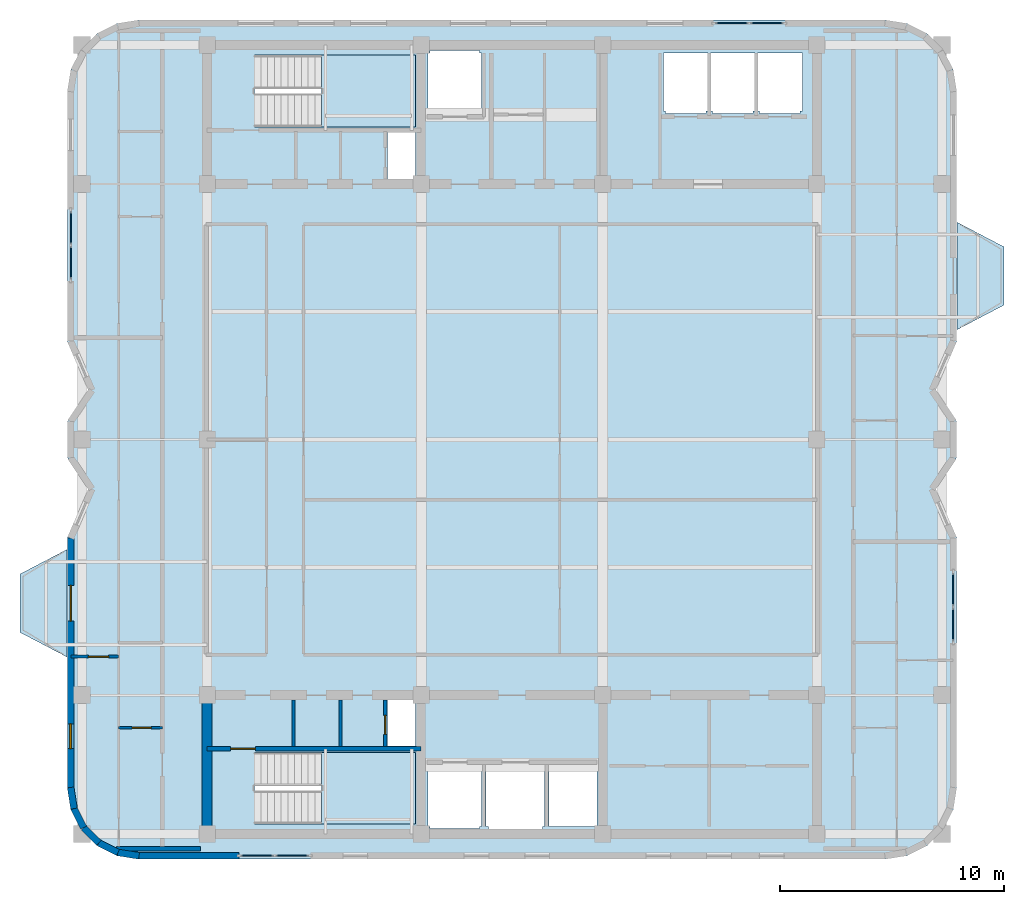
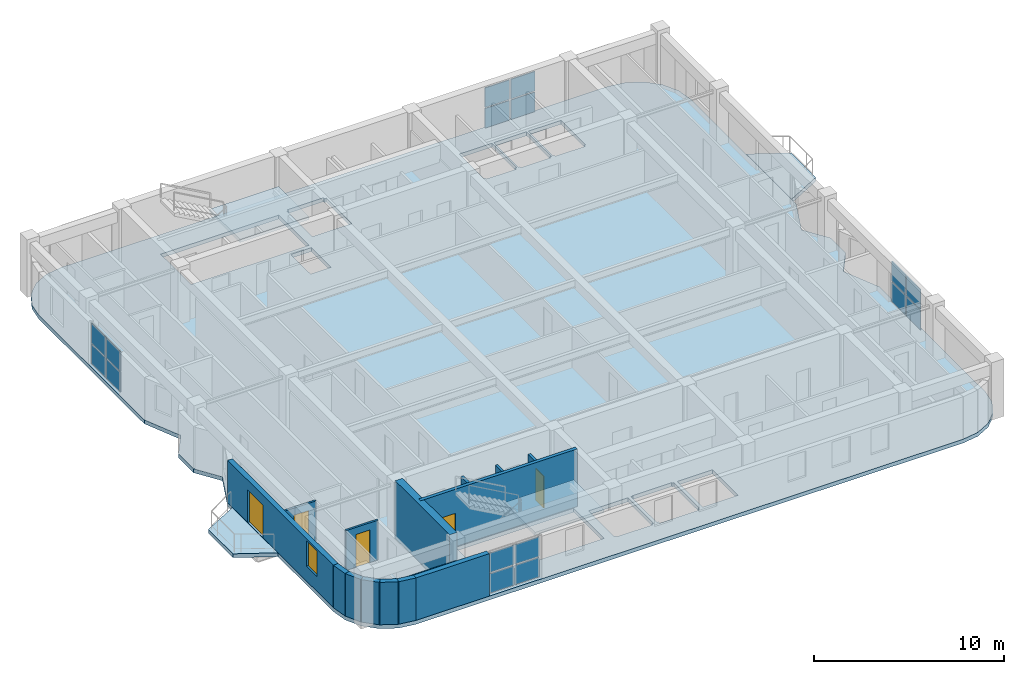
# One storey, part 4 of 11: 16 plates, 15 walls, 5 doors, 5 slabs, 1 window, 6 openings, 6 elements without a shape of their own.
"""IFC4 building model written with IfcOpenShell, lengths in metres."""

import ifcopenshell
import ifcopenshell.guid

model = None  # the IFC model being written
_history = None  # IfcOwnerHistory: only IFC2X3 demands one
_inside = {}  # id of a spatial element -> (the spatial element, [elements in it])
_under = {}  # id of a project, library or spatial element -> (it, [spatial elements below it])
_declared = {}  # id of a project -> (the project, [libraries it declares])
_typed = {}  # id of a type object -> (the type object, [elements of that type])
_made_of = {}  # id of a material, layer set ... -> (it, [elements and type objects made of it])


def new_model(schema):
    """Start an empty IFC model of exactly this schema.

    Asked for "IFC4X3", IfcOpenShell would pick the latest addendum, in which some entities
    have other attributes; the version numbers below select the first issue.
    IFC2X3 requires an IfcOwnerHistory on every rooted entity: one is made here for all.
    """
    global model, _history
    if schema == "IFC4X3":
        model = ifcopenshell.file(schema_version=(4, 3, 0, 0))
    else:
        model = ifcopenshell.file(schema=schema)
    _inside.clear()
    _under.clear()
    _declared.clear()
    _typed.clear()
    _made_of.clear()
    _history = None
    if model.schema == "IFC2X3":
        org = make("IfcOrganization", Name="unknown")
        user = make(
            "IfcPersonAndOrganization",
            ThePerson=make("IfcPerson", FamilyName="unknown"),
            TheOrganization=org,
        )
        app = make(
            "IfcApplication",
            ApplicationDeveloper=org,
            Version="unknown",
            ApplicationFullName="unknown",
            ApplicationIdentifier="unknown",
        )
        _history = make(
            "IfcOwnerHistory",
            OwningUser=user,
            OwningApplication=app,
            ChangeAction="ADDED",
            CreationDate=0,
        )
    return model


def make(cls, **values):
    """One entity of the class cls with the attributes given. An attribute that is None is left unset."""
    return model.create_entity(
        cls, **{name: value for name, value in values.items() if value is not None}
    )


def rooted(cls, **values):
    """An entity with a GlobalId (a new one), such as an element, a storey or a relation."""
    return make(cls, GlobalId=ifcopenshell.guid.new(), OwnerHistory=_history, **values)


def si_unit(unit_type, name, prefix=None):
    """IfcSIUnit, for example si_unit("LENGTHUNIT", "METRE", prefix="MILLI")."""
    return make("IfcSIUnit", UnitType=unit_type, Prefix=prefix, Name=name)


def assignment(units):
    """IfcUnitAssignment: the units of a project."""
    return None if units is None else make("IfcUnitAssignment", Units=units)


def point(xyz):
    """IfcCartesianPoint."""
    return None if xyz is None else make("IfcCartesianPoint", Coordinates=xyz)


def direction(xyz):
    """IfcDirection."""
    return None if xyz is None else make("IfcDirection", DirectionRatios=xyz)


def frame(location, z_axis=None, x_axis=None):
    """IfcAxis2Placement3D, a coordinate frame: its origin and axes. An axis left out is left unset."""
    return make(
        "IfcAxis2Placement3D",
        Location=point(location),
        Axis=direction(z_axis),
        RefDirection=direction(x_axis),
    )


def frame_2d(location, x_axis=None):
    """IfcAxis2Placement2D, a coordinate frame in the plane: its origin and x axis."""
    return make(
        "IfcAxis2Placement2D", Location=point(location), RefDirection=direction(x_axis)
    )


def origin():
    """The frame at (0, 0, 0) with its axes left unset."""
    return frame((0.0, 0.0, 0.0))


def origin_2d():
    """The frame at (0, 0) in the plane with its x axis left unset."""
    return frame_2d((0.0, 0.0))


def place(relative_to, where):
    """IfcLocalPlacement: puts the frame where relative to a parent placement (None: the world)."""
    return make(
        "IfcLocalPlacement", PlacementRelTo=relative_to, RelativePlacement=where
    )


def context(
    kind, dimensions, precision=None, world=None, true_north=None, identifier=None
):
    """IfcGeometricRepresentationContext, for example the 3D "Model" context."""
    return make(
        "IfcGeometricRepresentationContext",
        ContextIdentifier=identifier,
        ContextType=kind,
        CoordinateSpaceDimension=dimensions,
        Precision=precision,
        WorldCoordinateSystem=world,
        TrueNorth=true_north,
    )


def subcontext(parent, identifier, kind, view, scale=None):
    """IfcGeometricRepresentationSubContext, for example "Body" below "Model"."""
    return make(
        "IfcGeometricRepresentationSubContext",
        ContextIdentifier=identifier,
        ContextType=kind,
        ParentContext=parent,
        TargetScale=scale,
        TargetView=view,
    )


def project(units=None, contexts=None):
    """IfcProject with its units and contexts."""
    return rooted(
        "IfcProject",
        Name="project",
        RepresentationContexts=contexts,
        UnitsInContext=assignment(units),
    )


def spatial(cls, under=None, at=None, **own):
    """A site, building, storey or space (cls), placed at a placement, below another one or the project."""
    s = rooted(cls, ObjectPlacement=at, **own)
    if under is not None:
        _under.setdefault(under.id(), (under, []))[1].append(s)
    return s


def polyline(points):
    """IfcPolyline through the points."""
    return make("IfcPolyline", Points=[point(p) for p in points])


def profile(cls, at=None, kind="AREA", **sizes):
    """A parametric profile (cls). Its sizes go by their IFC names, for example OverallWidth=200.0."""
    return make(cls, ProfileType=kind, Position=at, **sizes)


def rectangle(**sizes):
    """IfcRectangleProfileDef."""
    return profile("IfcRectangleProfileDef", **sizes)


def outline(outer, holes=None, kind="AREA"):
    """IfcArbitraryClosedProfileDef: a profile drawn as a closed curve; with holes, ...WithVoids."""
    if holes is None:
        return make("IfcArbitraryClosedProfileDef", ProfileType=kind, OuterCurve=outer)
    return make(
        "IfcArbitraryProfileDefWithVoids",
        ProfileType=kind,
        OuterCurve=outer,
        InnerCurves=holes,
    )


def extrude(swept, where, along, depth):
    """IfcExtrudedAreaSolid: the profile swept, set in the frame where, extruded along a direction by depth."""
    return make(
        "IfcExtrudedAreaSolid",
        SweptArea=swept,
        Position=where,
        ExtrudedDirection=direction(along),
        Depth=depth,
    )


def shape(context_of_items, identifier, shape_type, items):
    """IfcShapeRepresentation: the items that make up one representation, for example the "Body"."""
    return make(
        "IfcShapeRepresentation",
        ContextOfItems=context_of_items,
        RepresentationIdentifier=identifier,
        RepresentationType=shape_type,
        Items=items,
    )


def material(Name=None, Category=None):
    """IfcMaterial."""
    return make("IfcMaterial", Name=Name, Category=Category)


def layer(
    of_material, thickness, ventilated=None, Name=None, Category=None, Priority=None
):
    """IfcMaterialLayer: one layer of a wall or slab, of a material (None: an air gap)."""
    return make(
        "IfcMaterialLayer",
        Material=of_material,
        LayerThickness=thickness,
        IsVentilated=ventilated,
        Name=Name,
        Category=Category,
        Priority=Priority,
    )


def layer_set(layers, Name=None):
    """IfcMaterialLayerSet."""
    return make("IfcMaterialLayerSet", MaterialLayers=layers, LayerSetName=Name)


def made_of(thing, what):
    """Note that an element or type object is made of a material, layer set ...; save() writes the relation."""
    if what is not None:
        _made_of.setdefault(what.id(), (what, []))[1].append(thing)
    return thing


def type_object(cls, material=None, **own):
    """A type object (cls), such as IfcWallType, which elements share."""
    return made_of(rooted(cls, **own), material)


def element(
    cls,
    number,
    at=None,
    inside=None,
    cuts=None,
    type_object=None,
    material=None,
    context=None,
    identifier="Body",
    shape_type=None,
    held_by="IfcProductDefinitionShape",
    body=None,
    shapes=None,
    **own,
):
    """One element of the class cls, such as IfcWall. Its Tag is "e" and its number.

    at: its placement. inside: the storey or other place that contains it. cuts: it is an
    opening in that element (IfcRelVoidsElement). A single representation is given by context,
    identifier, shape_type and body (its items); several are given by shapes. held_by: the class
    of the entity that holds the representations. save() writes the other relations.
    """
    e = rooted(cls, Tag="e%d" % number, ObjectPlacement=at, **own)
    if body is not None:
        shapes = [shape(context, identifier, shape_type, body)]
    if shapes is not None:
        e.Representation = make(held_by, Representations=shapes)
    if inside is not None:
        _inside.setdefault(inside.id(), (inside, []))[1].append(e)
    if cuts is not None:
        rooted(
            "IfcRelVoidsElement", RelatingBuildingElement=cuts, RelatedOpeningElement=e
        )
    if type_object is not None:
        _typed.setdefault(type_object.id(), (type_object, []))[1].append(e)
    return made_of(e, material)


def fill(opening, filler):
    """IfcRelFillsElement: the door or window that sits in an opening."""
    return rooted(
        "IfcRelFillsElement",
        RelatingOpeningElement=opening,
        RelatedBuildingElement=filler,
    )


def aggregate(whole, parts):
    """IfcRelAggregates: a whole, such as a stair, and the parts it consists of."""
    return rooted("IfcRelAggregates", RelatingObject=whole, RelatedObjects=parts)


def save(model, path):
    """Write the relations noted so far, then the file.

    IfcRelAggregates (storeys below a building ...), IfcRelContainedInSpatialStructure (elements
    in a storey), IfcRelDefinesByType, IfcRelAssociatesMaterial and IfcRelDeclares: one each for
    every whole, place, type object, material and project.
    """
    for whole, parts in _under.values():
        aggregate(whole, parts)
    for where, things in _inside.values():
        rooted(
            "IfcRelContainedInSpatialStructure",
            RelatedElements=things,
            RelatingStructure=where,
        )
    for kind, things in _typed.values():
        rooted("IfcRelDefinesByType", RelatedObjects=things, RelatingType=kind)
    for what, things in _made_of.values():
        rooted("IfcRelAssociatesMaterial", RelatedObjects=things, RelatingMaterial=what)
    for by, libraries in _declared.values():
        rooted("IfcRelDeclares", RelatingContext=by, RelatedDefinitions=libraries)
    model.write(path)


model = new_model("IFC4")

# Units and contexts
model_context = context("Model", 3, precision=1e-05, world=origin(), true_north=direction((0.0, 1.0)))
body_context = subcontext(model_context, "Body", "Model", "MODEL_VIEW")
ifc_project = project(units=[si_unit("LENGTHUNIT", "METRE"), si_unit("AREAUNIT", "SQUARE_METRE"), si_unit("VOLUMEUNIT", "CUBIC_METRE"), si_unit("PLANEANGLEUNIT", "RADIAN"), si_unit("MASSUNIT", "GRAM", prefix="KILO")], contexts=[model_context])

# Site, building, storey
site_placement = place(None, origin())
site = spatial("IfcSite", under=ifc_project, at=site_placement, CompositionType="ELEMENT")
building_placement = place(site_placement, origin())
building = spatial("IfcBuilding", under=site, at=building_placement, Name="Svetorya Sky Lyceum", CompositionType="ELEMENT")
storey_placement = place(building_placement, frame((0.0, 0.0, 289.800048828125)))
storey = spatial("IfcBuildingStorey", under=building, at=storey_placement, Name="L73", CompositionType="ELEMENT", Elevation=289.800048828125)

# Curtain wall, plates
ifc_material_1 = material(Name="Thermally broken anodized aluminium and triple low-E glass", Category="aluminium")
curtain_wall_type = type_object("IfcCurtainWallType", Name="CW6-CRN-OBS", PredefinedType="NOTDEFINED", material=ifc_material_1)
curtain_wall_1_placement = place(storey_placement, origin())
curtain_wall_1 = element("IfcCurtainWall", 1, at=curtain_wall_1_placement, inside=storey, type_object=curtain_wall_type, Name="L73 Observatory Curtain Wall 6", PredefinedType="NOTDEFINED")
ifc_material_2 = material(Name="Acoustic laminated observatory triple glass", Category="glass")
ifc_layer_1 = layer(ifc_material_2, 0.055908203125)
ifc_layer_set_1 = layer_set([ifc_layer_1], Name="Acoustic laminated observatory triple glass")
plate_type = type_object("IfcPlateType", Name="CWP-GLZ-56", PredefinedType="CURTAIN_PANEL", material=ifc_layer_set_1)
plate_1_placement = place(storey_placement, frame((27.831298828125, 9.6298828125, 0.0732421875), z_axis=(0.0, 0.0, 1.0), x_axis=(1.0, 0.0, 0.0)))
plate_1 = element("IfcPlate", 2, at=plate_1_placement, type_object=plate_type, Name="CW-6 panel 1.1", PredefinedType="CURTAIN_PANEL", context=body_context, shape_type="SweptSolid", body=[
    extrude(rectangle(XDim=1.4755859375, YDim=0.055908203125, at=origin_2d()), origin(), (0.0, 0.0, 1.0), 1.255615234375),
])
plate_2_placement = place(storey_placement, frame((27.831298828125, 9.6298828125, 1.40087890625), z_axis=(0.0, 0.0, 1.0), x_axis=(1.0, 0.0, 0.0)))
plate_2 = element("IfcPlate", 3, at=plate_2_placement, type_object=plate_type, Name="CW-6 panel 1.2", PredefinedType="CURTAIN_PANEL", context=body_context, shape_type="SweptSolid", body=[
    extrude(rectangle(XDim=1.4755859375, YDim=0.055908203125, at=origin_2d()), origin(), (0.0, 0.0, 1.0), 1.255615234375),
])
plate_3_placement = place(storey_placement, frame((29.388671875, 9.6298828125, 0.0732421875), z_axis=(0.0, 0.0, 1.0), x_axis=(1.0, 0.0, 0.0)))
plate_3 = element("IfcPlate", 4, at=plate_3_placement, type_object=plate_type, Name="CW-6 panel 2.1", PredefinedType="CURTAIN_PANEL", context=body_context, shape_type="SweptSolid", body=[
    extrude(rectangle(XDim=1.4755859375, YDim=0.055908203125, at=origin_2d()), origin(), (0.0, 0.0, 1.0), 1.255615234375),
])
plate_4_placement = place(storey_placement, frame((29.388671875, 9.6298828125, 1.40087890625), z_axis=(0.0, 0.0, 1.0), x_axis=(1.0, 0.0, 0.0)))
plate_4 = element("IfcPlate", 5, at=plate_4_placement, type_object=plate_type, Name="CW-6 panel 2.2", PredefinedType="CURTAIN_PANEL", context=body_context, shape_type="SweptSolid", body=[
    extrude(rectangle(XDim=1.4755859375, YDim=0.055908203125, at=origin_2d()), origin(), (0.0, 0.0, 1.0), 1.255615234375),
])
aggregate(curtain_wall_1, [plate_1, plate_2, plate_3, plate_4])

curtain_wall_2_placement = place(storey_placement, origin())
curtain_wall_2 = element("IfcCurtainWall", 6, at=curtain_wall_2_placement, inside=storey, type_object=curtain_wall_type, Name="L73 Observatory Curtain Wall 12", PredefinedType="NOTDEFINED")
plate_5_placement = place(storey_placement, frame((58.889892578125, 19.951171875, 0.0732421875), z_axis=(0.0, 0.0, 1.0), x_axis=(0.0, 1.0, 0.0)))
plate_5 = element("IfcPlate", 7, at=plate_5_placement, type_object=plate_type, Name="CW-6 panel 1.1", PredefinedType="CURTAIN_PANEL", context=body_context, shape_type="SweptSolid", body=[
    extrude(rectangle(XDim=1.4755859375, YDim=0.055908203125, at=origin_2d()), origin(), (0.0, 0.0, 1.0), 1.255615234375),
])
plate_6_placement = place(storey_placement, frame((58.889892578125, 19.951171875, 1.40087890625), z_axis=(0.0, 0.0, 1.0), x_axis=(0.0, 1.0, 0.0)))
plate_6 = element("IfcPlate", 8, at=plate_6_placement, type_object=plate_type, Name="CW-6 panel 1.2", PredefinedType="CURTAIN_PANEL", context=body_context, shape_type="SweptSolid", body=[
    extrude(rectangle(XDim=1.4755859375, YDim=0.055908203125, at=origin_2d()), origin(), (0.0, 0.0, 1.0), 1.255615234375),
])
plate_7_placement = place(storey_placement, frame((58.889892578125, 21.5087890625, 0.0732421875), z_axis=(0.0, 0.0, 1.0), x_axis=(0.0, 1.0, 0.0)))
plate_7 = element("IfcPlate", 9, at=plate_7_placement, type_object=plate_type, Name="CW-6 panel 2.1", PredefinedType="CURTAIN_PANEL", context=body_context, shape_type="SweptSolid", body=[
    extrude(rectangle(XDim=1.4755859375, YDim=0.055908203125, at=origin_2d()), origin(), (0.0, 0.0, 1.0), 1.255615234375),
])
plate_8_placement = place(storey_placement, frame((58.889892578125, 21.5087890625, 1.40087890625), z_axis=(0.0, 0.0, 1.0), x_axis=(0.0, 1.0, 0.0)))
plate_8 = element("IfcPlate", 10, at=plate_8_placement, type_object=plate_type, Name="CW-6 panel 2.2", PredefinedType="CURTAIN_PANEL", context=body_context, shape_type="SweptSolid", body=[
    extrude(rectangle(XDim=1.4755859375, YDim=0.055908203125, at=origin_2d()), origin(), (0.0, 0.0, 1.0), 1.255615234375),
])
aggregate(curtain_wall_2, [plate_5, plate_6, plate_7, plate_8])

curtain_wall_3_placement = place(storey_placement, origin())
curtain_wall_3 = element("IfcCurtainWall", 11, at=curtain_wall_3_placement, inside=storey, type_object=curtain_wall_type, Name="L73 Observatory Curtain Wall 24", PredefinedType="NOTDEFINED")
plate_9_placement = place(storey_placement, frame((50.56884765625, 46.77001953125, 0.0732421875), z_axis=(0.0, 0.0, 1.0), x_axis=(-1.0, 0.0, 0.0)))
plate_9 = element("IfcPlate", 12, at=plate_9_placement, type_object=plate_type, Name="CW-6 panel 1.1", PredefinedType="CURTAIN_PANEL", context=body_context, shape_type="SweptSolid", body=[
    extrude(rectangle(XDim=1.4755859375, YDim=0.055908203125, at=origin_2d()), origin(), (0.0, 0.0, 1.0), 1.255615234375),
])
plate_10_placement = place(storey_placement, frame((50.56884765625, 46.77001953125, 1.40087890625), z_axis=(0.0, 0.0, 1.0), x_axis=(-1.0, 0.0, 0.0)))
plate_10 = element("IfcPlate", 13, at=plate_10_placement, type_object=plate_type, Name="CW-6 panel 1.2", PredefinedType="CURTAIN_PANEL", context=body_context, shape_type="SweptSolid", body=[
    extrude(rectangle(XDim=1.4755859375, YDim=0.055908203125, at=origin_2d()), origin(), (0.0, 0.0, 1.0), 1.255615234375),
])
plate_11_placement = place(storey_placement, frame((49.01123046875, 46.77001953125, 0.0732421875), z_axis=(0.0, 0.0, 1.0), x_axis=(-1.0, 0.0, 0.0)))
plate_11 = element("IfcPlate", 14, at=plate_11_placement, type_object=plate_type, Name="CW-6 panel 2.1", PredefinedType="CURTAIN_PANEL", context=body_context, shape_type="SweptSolid", body=[
    extrude(rectangle(XDim=1.4755859375, YDim=0.055908203125, at=origin_2d()), origin(), (0.0, 0.0, 1.0), 1.255615234375),
])
plate_12_placement = place(storey_placement, frame((49.01123046875, 46.77001953125, 1.40087890625), z_axis=(0.0, 0.0, 1.0), x_axis=(-1.0, 0.0, 0.0)))
plate_12 = element("IfcPlate", 15, at=plate_12_placement, type_object=plate_type, Name="CW-6 panel 2.2", PredefinedType="CURTAIN_PANEL", context=body_context, shape_type="SweptSolid", body=[
    extrude(rectangle(XDim=1.4755859375, YDim=0.055908203125, at=origin_2d()), origin(), (0.0, 0.0, 1.0), 1.255615234375),
])
aggregate(curtain_wall_3, [plate_9, plate_10, plate_11, plate_12])

curtain_wall_4_placement = place(storey_placement, origin())
curtain_wall_4 = element("IfcCurtainWall", 16, at=curtain_wall_4_placement, inside=storey, type_object=curtain_wall_type, Name="L73 Observatory Curtain Wall 30", PredefinedType="NOTDEFINED")
plate_13_placement = place(storey_placement, frame((19.510009765625, 37.648681640625, 0.0732421875), z_axis=(0.0, 0.0, 1.0), x_axis=(0.0, -1.0, 0.0)))
plate_13 = element("IfcPlate", 17, at=plate_13_placement, type_object=plate_type, Name="CW-6 panel 1.1", PredefinedType="CURTAIN_PANEL", context=body_context, shape_type="SweptSolid", body=[
    extrude(rectangle(XDim=1.4755859375, YDim=0.055908203125, at=origin_2d()), origin(), (0.0, 0.0, 1.0), 1.255615234375),
])
plate_14_placement = place(storey_placement, frame((19.510009765625, 37.648681640625, 1.40087890625), z_axis=(0.0, 0.0, 1.0), x_axis=(0.0, -1.0, 0.0)))
plate_14 = element("IfcPlate", 18, at=plate_14_placement, type_object=plate_type, Name="CW-6 panel 1.2", PredefinedType="CURTAIN_PANEL", context=body_context, shape_type="SweptSolid", body=[
    extrude(rectangle(XDim=1.4755859375, YDim=0.055908203125, at=origin_2d()), origin(), (0.0, 0.0, 1.0), 1.255615234375),
])
plate_15_placement = place(storey_placement, frame((19.510009765625, 36.09130859375, 0.0732421875), z_axis=(0.0, 0.0, 1.0), x_axis=(0.0, -1.0, 0.0)))
plate_15 = element("IfcPlate", 19, at=plate_15_placement, type_object=plate_type, Name="CW-6 panel 2.1", PredefinedType="CURTAIN_PANEL", context=body_context, shape_type="SweptSolid", body=[
    extrude(rectangle(XDim=1.4755859375, YDim=0.055908203125, at=origin_2d()), origin(), (0.0, 0.0, 1.0), 1.255615234375),
])
plate_16_placement = place(storey_placement, frame((19.510009765625, 36.09130859375, 1.40087890625), z_axis=(0.0, 0.0, 1.0), x_axis=(0.0, -1.0, 0.0)))
plate_16 = element("IfcPlate", 20, at=plate_16_placement, type_object=plate_type, Name="CW-6 panel 2.2", PredefinedType="CURTAIN_PANEL", context=body_context, shape_type="SweptSolid", body=[
    extrude(rectangle(XDim=1.4755859375, YDim=0.055908203125, at=origin_2d()), origin(), (0.0, 0.0, 1.0), 1.255615234375),
])
aggregate(curtain_wall_4, [plate_13, plate_14, plate_15, plate_16])

# Slabs
ifc_material_3 = material(Name="Concrete C40/50", Category="concrete")
ifc_layer_2 = layer(ifc_material_3, 0.25)
ifc_layer_set_2 = layer_set([ifc_layer_2], Name="Concrete C40/50")
slab_type_1 = type_object("IfcSlabType", Name="SL-BAL-250", PredefinedType="FLOOR", material=ifc_layer_set_2)
slab_1_placement = place(storey_placement, frame((0.0, 0.0, -0.25)))
element("IfcSlab", 21, at=slab_1_placement, inside=storey, type_object=slab_type_1, Name="L73 Chamfered Loggia Balcony BAL-W1", PredefinedType="FLOOR", context=body_context, shape_type="SweptSolid", body=[
    extrude(outline(polyline([(19.35009765625, 18.5), (19.35009765625, 23.300048828125), (17.25, 22.199951171875), (17.25, 19.60009765625), (19.35009765625, 18.5)])), origin(), (0.0, 0.0, 1.0), 0.25),
])
slab_2_placement = place(storey_placement, frame((0.0, 0.0, -0.25)))
element("IfcSlab", 22, at=slab_2_placement, inside=storey, type_object=slab_type_1, Name="L73 Chamfered Loggia Balcony BAL-E1", PredefinedType="FLOOR", context=body_context, shape_type="SweptSolid", body=[
    extrude(outline(polyline([(59.050048828125, 33.10009765625), (61.14990234375, 34.199951171875), (61.14990234375, 36.800048828125), (59.050048828125, 37.89990234375), (59.050048828125, 33.10009765625)])), origin(), (0.0, 0.0, 1.0), 0.25),
])

# Stair, slab
stair_type_1 = type_object("IfcStairType", Name="STR-ST-S", PredefinedType="HALF_TURN_STAIR", material=ifc_material_3)
stair_1_placement = place(storey_placement, origin())
stair_1 = element("IfcStair", 23, at=stair_1_placement, inside=storey, type_object=stair_type_1, Name="L73 South Core Smoke-Free Exit Stair N2", PredefinedType="HALF_TURN_STAIR")
ifc_layer_3 = layer(ifc_material_3, 0.199951171875)
ifc_layer_set_3 = layer_set([ifc_layer_3], Name="Concrete C40/50")
slab_type_2 = type_object("IfcSlabType", Name="SL-STR-LAND-200", PredefinedType="LANDING", material=ifc_layer_set_3)
slab_3_placement = place(storey_placement, frame((0.0, 0.0, 1.64990234375)))
slab_3 = element("IfcSlab", 24, at=slab_3_placement, type_object=slab_type_2, Name="ST-S landing 1", PredefinedType="LANDING", context=body_context, shape_type="SweptSolid", body=[
    extrude(outline(polyline([(30.699951171875, 11.050048828125), (34.89990234375, 11.050048828125), (34.89990234375, 14.25), (30.699951171875, 14.25), (30.699951171875, 11.050048828125)])), origin(), (0.0, 0.0, 1.0), 0.199951171875),
])
aggregate(stair_1, [slab_3])

stair_type_2 = type_object("IfcStairType", Name="STR-ST-N", PredefinedType="HALF_TURN_STAIR", material=ifc_material_3)
stair_2_placement = place(storey_placement, origin())
stair_2 = element("IfcStair", 25, at=stair_2_placement, inside=storey, type_object=stair_type_2, Name="L73 North Core Smoke-Free Exit Stair N3", PredefinedType="HALF_TURN_STAIR")
slab_4_placement = place(storey_placement, frame((0.0, 0.0, 1.64990234375)))
slab_4 = element("IfcSlab", 26, at=slab_4_placement, type_object=slab_type_2, Name="ST-N landing 1", PredefinedType="LANDING", context=body_context, shape_type="SweptSolid", body=[
    extrude(outline(polyline([(30.699951171875, 42.14990234375), (34.89990234375, 42.14990234375), (34.89990234375, 45.35009765625), (30.699951171875, 45.35009765625), (30.699951171875, 42.14990234375)])), origin(), (0.0, 0.0, 1.0), 0.199951171875),
])
aggregate(stair_2, [slab_4])

# Slab
ifc_layer_4 = layer(ifc_material_3, 0.25)
ifc_layer_set_4 = layer_set([ifc_layer_4], Name="Concrete C40/50")
slab_type_3 = type_object("IfcSlabType", Name="SL-TWR-250", PredefinedType="FLOOR", material=ifc_layer_set_4)
slab_5_placement = place(storey_placement, frame((0.0, 0.0, -0.25)))
element("IfcSlab", 27, at=slab_5_placement, inside=storey, type_object=slab_type_3, Name="L73 Structural Floor Slab", PredefinedType="FLOOR", context=body_context, shape_type="SweptSolid", body=[
    extrude(outline(polyline([(19.360107421875, 12.679931640625), (19.5166015625, 11.691162109375), (19.97119140625, 10.799072265625), (20.67919921875, 10.091064453125), (21.571044921875, 9.63671875), (22.56005859375, 9.47998046875), (55.840087890625, 9.47998046875), (56.828857421875, 9.63671875), (57.720947265625, 10.091064453125), (58.428955078125, 10.799072265625), (58.88330078125, 11.691162109375), (59.0400390625, 12.679931640625), (59.0400390625, 23.800048828125), (58.090087890625, 26.0), (59.0400390625, 27.39990234375), (59.0400390625, 29.0), (58.090087890625, 30.39990234375), (59.0400390625, 32.60009765625), (59.0400390625, 43.719970703125), (58.88330078125, 44.708984375), (58.428955078125, 45.600830078125), (57.720947265625, 46.308837890625), (56.828857421875, 46.763427734375), (55.840087890625, 46.919921875), (22.56005859375, 46.919921875), (21.571044921875, 46.763427734375), (20.67919921875, 46.308837890625), (19.97119140625, 45.600830078125), (19.5166015625, 44.708984375), (19.360107421875, 43.719970703125), (19.360107421875, 32.60009765625), (20.31005859375, 30.39990234375), (19.360107421875, 29.0), (19.360107421875, 27.39990234375), (20.31005859375, 26.0), (19.360107421875, 23.800048828125), (19.360107421875, 12.679931640625)]), holes=[polyline([(37.85009765625, 10.949951171875), (37.75, 10.949951171875), (37.75, 10.85009765625), (35.550048828125, 10.85009765625), (35.550048828125, 10.949951171875), (35.449951171875, 10.949951171875), (35.449951171875, 13.64990234375), (35.550048828125, 13.64990234375), (37.75, 13.64990234375), (37.85009765625, 13.64990234375), (37.85009765625, 10.949951171875)]), polyline([(38.14990234375, 10.800048828125), (38.14990234375, 10.949951171875), (38.050048828125, 10.949951171875), (38.050048828125, 13.64990234375), (38.14990234375, 13.64990234375), (38.14990234375, 13.699951171875), (40.550048828125, 13.699951171875), (40.550048828125, 13.64990234375), (40.64990234375, 13.64990234375), (40.64990234375, 10.949951171875), (40.550048828125, 10.949951171875), (40.550048828125, 10.800048828125), (38.14990234375, 10.800048828125)]), polyline([(27.719970703125, 11.050048828125), (27.719970703125, 14.25), (34.89990234375, 14.25), (34.89990234375, 11.050048828125), (27.719970703125, 11.050048828125)]), polyline([(33.64990234375, 14.52001953125), (33.64990234375, 16.580078125), (34.89990234375, 16.580078125), (34.89990234375, 14.52001953125), (33.64990234375, 14.52001953125)]), polyline([(33.64990234375, 39.820068359375), (33.64990234375, 41.89990234375), (34.89990234375, 41.89990234375), (34.89990234375, 39.820068359375), (33.64990234375, 39.820068359375)]), polyline([(27.719970703125, 42.14990234375), (27.719970703125, 45.35009765625), (34.89990234375, 45.35009765625), (34.89990234375, 42.14990234375), (27.719970703125, 42.14990234375)]), polyline([(37.75, 42.75), (35.550048828125, 42.75), (35.449951171875, 42.75), (35.449951171875, 45.449951171875), (35.550048828125, 45.449951171875), (35.550048828125, 45.550048828125), (37.75, 45.550048828125), (37.75, 45.449951171875), (37.85009765625, 45.449951171875), (37.85009765625, 42.75), (37.75, 42.75)]), polyline([(40.85009765625, 10.949951171875), (40.85009765625, 13.64990234375), (43.0, 13.64990234375), (43.0, 10.949951171875), (40.85009765625, 10.949951171875)]), polyline([(46.050048828125, 42.75), (46.050048828125, 42.85009765625), (45.949951171875, 42.85009765625), (45.949951171875, 45.449951171875), (46.050048828125, 45.449951171875), (47.85009765625, 45.449951171875), (47.949951171875, 45.449951171875), (47.949951171875, 42.85009765625), (47.85009765625, 42.85009765625), (47.85009765625, 42.75), (46.050048828125, 42.75)]), polyline([(50.050048828125, 42.85009765625), (49.949951171875, 42.85009765625), (49.949951171875, 42.75), (48.14990234375, 42.75), (48.14990234375, 42.85009765625), (48.050048828125, 42.85009765625), (48.050048828125, 45.449951171875), (48.14990234375, 45.449951171875), (49.949951171875, 45.449951171875), (50.050048828125, 45.449951171875), (50.050048828125, 42.85009765625)]), polyline([(52.14990234375, 42.85009765625), (52.050048828125, 42.85009765625), (52.050048828125, 42.75), (50.25, 42.75), (50.25, 42.85009765625), (50.14990234375, 42.85009765625), (50.14990234375, 45.449951171875), (50.25, 45.449951171875), (52.050048828125, 45.449951171875), (52.14990234375, 45.449951171875), (52.14990234375, 42.85009765625)])]), origin(), (0.0, 0.0, 1.0), 0.25),
])

# Walls
ifc_material_4 = material(Name="Concrete C50/60", Category="concrete")
ifc_layer_5 = layer(ifc_material_4, 0.449951171875)
ifc_layer_set_5 = layer_set([ifc_layer_5], Name="Concrete C50/60")
wall_type_1 = type_object("IfcWallType", Name="WL-CORE-450", PredefinedType="SHEAR", material=ifc_layer_set_5)
wall_1_placement = place(storey_placement, frame((25.60009765625, 10.824951171875, 0.0), z_axis=(0.0, 0.0, 1.0), x_axis=(0.0, 1.0, 0.0)))
element("IfcWall", 28, at=wall_1_placement, inside=storey, type_object=wall_type_1, Name="L73 SC West Core Shear Wall", PredefinedType="SHEAR", context=body_context, shape_type="SweptSolid", body=[
    extrude(rectangle(XDim=5.75, YDim=0.449951171875, at=frame_2d((2.875, 0.0))), origin(), (0.0, 0.0, 1.0), 3.699951171875),
])
ifc_material_5 = material(Name="Putilovo limestone rainscreen on autoclaved cellular masonry", Category="masonry")
ifc_layer_6 = layer(ifc_material_5, 0.300048828125)
ifc_layer_set_6 = layer_set([ifc_layer_6], Name="Putilovo limestone rainscreen on autoclaved cellular masonry")
wall_type_2 = type_object("IfcWallType", Name="WL-EXT-300", PredefinedType="SOLIDWALL", material=ifc_layer_set_6)
wall_2_placement = place(storey_placement, frame((19.510009765625, 12.679931640625, 0.0), z_axis=(0.0, 0.0, 1.0), x_axis=(0.156343617883, -0.987702725088, 0.0)))
element("IfcWall", 29, at=wall_2_placement, inside=storey, type_object=wall_type_2, Name="L73 Limestone Exterior Wall 1M", PredefinedType="SOLIDWALL", context=body_context, shape_type="SweptSolid", body=[
    extrude(rectangle(XDim=0.9541015625, YDim=0.300048828125, at=frame_2d((0.47705078125, 0.0))), origin(), (0.0, 0.0, 1.0), 2.72998046875),
])
for number, where, z_axis, x_axis, name in (
    (30, (19.6591796875, 11.737548828125, 0.0), (0.0, 0.0, 1.0), (0.454056065666, -0.890973113642, 0.0), "L73 Limestone Exterior Wall 2M"),
    (31, (20.092529296875, 10.88720703125, 0.0), (0.0, 0.0, 1.0), (0.707106781187, -0.707106781187, 0.0), "L73 Limestone Exterior Wall 3M"),
):
    element("IfcWall", number, at=place(storey_placement, frame(where, z_axis=z_axis, x_axis=x_axis)), inside=storey, type_object=wall_type_2, Name=name, PredefinedType="SOLIDWALL", context=body_context, shape_type="SweptSolid", body=[
        extrude(rectangle(XDim=0.954345703125, YDim=0.300048828125, at=frame_2d((0.47705078125, 0.0))), origin(), (0.0, 0.0, 1.0), 2.72998046875),
    ])
wall_3_placement = place(storey_placement, frame((20.767333984375, 10.21240234375, 0.0), z_axis=(0.0, 0.0, 1.0), x_axis=(0.891023873617, -0.45395644796, 0.0)))
element("IfcWall", 32, at=wall_3_placement, inside=storey, type_object=wall_type_2, Name="L73 Limestone Exterior Wall 4M", PredefinedType="SOLIDWALL", context=body_context, shape_type="SweptSolid", body=[
    extrude(rectangle(XDim=0.9541015625, YDim=0.300048828125, at=frame_2d((0.47705078125, 0.0))), origin(), (0.0, 0.0, 1.0), 2.72998046875),
])
wall_4_placement = place(storey_placement, frame((21.617431640625, 9.779296875, 0.0), z_axis=(0.0, 0.0, 1.0), x_axis=(0.987669453596, -0.156553666304, 0.0)))
element("IfcWall", 33, at=wall_4_placement, inside=storey, type_object=wall_type_2, Name="L73 Limestone Exterior Wall 5M", PredefinedType="SOLIDWALL", context=body_context, shape_type="SweptSolid", body=[
    extrude(rectangle(XDim=0.954345703125, YDim=0.300048828125, at=frame_2d((0.47705078125, 0.0))), origin(), (0.0, 0.0, 1.0), 2.72998046875),
])
wall_5_placement = place(storey_placement, frame((22.56005859375, 9.6298828125, 0.0), z_axis=(0.0, 0.0, 1.0), x_axis=(1.0, 0.0, 0.0)))
element("IfcWall", 34, at=wall_5_placement, inside=storey, type_object=wall_type_2, Name="L73 Limestone Exterior Wall 6A", PredefinedType="SOLIDWALL", context=body_context, shape_type="SweptSolid", body=[
    extrude(rectangle(XDim=4.449951171875, YDim=0.300048828125, at=frame_2d((2.22509765625, 0.0))), origin(), (0.0, 0.0, 1.0), 2.72998046875),
])

# Wall, openings, door, window
wall_6_placement = place(storey_placement, frame((19.510009765625, 23.800048828125, 0.0), z_axis=(0.0, 0.0, 1.0), x_axis=(0.0, -1.0, 0.0)))
wall_6 = element("IfcWall", 35, at=wall_6_placement, inside=storey, type_object=wall_type_2, Name="L73 Limestone Exterior Wall 36M", PredefinedType="SOLIDWALL", context=body_context, shape_type="SweptSolid", body=[
    extrude(rectangle(XDim=11.1201171875, YDim=0.300048828125, at=frame_2d((5.56005859375, 0.0))), origin(), (0.0, 0.0, 1.0), 2.72998046875),
])
opening_1_placement = place(wall_6_placement, frame((2.10009765625, 0.0, 0.0)))
opening_1 = element("IfcOpeningElement", 36, at=opening_1_placement, cuts=wall_6, Name="Opening D-BL1", PredefinedType="OPENING", context=body_context, shape_type="SweptSolid", body=[
    extrude(rectangle(XDim=1.60009765625, YDim=2.10009765625, at=frame_2d((0.800048828125, 1.050048828125))), frame((0.0, 0.159912109375, 0.0), z_axis=(0.0, -1.0, 0.0), x_axis=(1.0, 0.0, 0.0)), (0.0, 0.0, 1.0), 0.320068359375),
])
opening_2_placement = place(wall_6_placement, frame((8.283203125, 0.0, 0.949951171875)))
opening_2 = element("IfcOpeningElement", 37, at=opening_2_placement, cuts=wall_6, Name="Opening W-R3", PredefinedType="OPENING", context=body_context, shape_type="SweptSolid", body=[
    extrude(rectangle(XDim=1.10009765625, YDim=1.64990234375, at=frame_2d((0.550048828125, 0.824951171875))), frame((0.0, 0.159912109375, 0.0), z_axis=(0.0, -1.0, 0.0), x_axis=(1.0, 0.0, 0.0)), (0.0, 0.0, 1.0), 0.320068359375),
])
ifc_material_6 = material(Name="Insulated glazed aluminium balcony door", Category="aluminium")
door_type_1 = type_object("IfcDoorType", Name="DR-BAL-1600", OperationType="DOUBLE_DOOR_SINGLE_SWING", PredefinedType="DOOR", material=ifc_material_6)
door_1_placement = place(opening_1_placement, origin())
door_1 = element("IfcDoor", 38, at=door_1_placement, inside=storey, type_object=door_type_1, Name="L73 Balcony BAL-W1 Door", OperationType="DOUBLE_DOOR_SINGLE_SWING", OverallHeight=2.10009765625, OverallWidth=1.60009765625, PredefinedType="DOOR", context=body_context, shape_type="SweptSolid", body=[
    extrude(rectangle(XDim=1.60009765625, YDim=2.10009765625, at=frame_2d((0.800048828125, 1.050048828125))), frame((0.0, 0.02490234375, 0.0), z_axis=(0.0, -1.0, 0.0), x_axis=(1.0, 0.0, 0.0)), (0.0, 0.0, 1.0), 0.050048828125),
])
fill(opening_1, door_1)
ifc_material_7 = material(Name="Thermally broken aluminium frame with triple low-E glazing", Category="aluminium")
window_type = type_object("IfcWindowType", Name="WN-RES-110", PartitioningType="SINGLE_PANEL", PredefinedType="WINDOW", material=ifc_material_7)
window_placement = place(opening_2_placement, origin())
window = element("IfcWindow", 39, at=window_placement, inside=storey, type_object=window_type, Name="L73 Facade Window W-R3.36M.1", OverallHeight=1.64990234375, OverallWidth=1.10009765625, PartitioningType="SINGLE_PANEL", PredefinedType="WINDOW", context=body_context, shape_type="SweptSolid", body=[
    extrude(rectangle(XDim=1.10009765625, YDim=1.64990234375, at=frame_2d((0.550048828125, 0.824951171875))), frame((0.0, 0.030029296875, 0.0), z_axis=(0.0, -1.0, 0.0), x_axis=(1.0, 0.0, 0.0)), (0.0, 0.0, 1.0), 0.06005859375),
])
fill(opening_2, window)

# Wall, opening, door
ifc_material_8 = material(Name="Twin-stud galvanized framing with double fireboard", Category="gypsum")
ifc_layer_7 = layer(ifc_material_8, 0.1201171875)
ifc_layer_set_7 = layer_set([ifc_layer_7], Name="Twin-stud galvanized framing with double fireboard")
wall_type_3 = type_object("IfcWallType", Name="WL-PART-120", PredefinedType="PARTITIONING", material=ifc_layer_set_7)
wall_7_placement = place(storey_placement, frame((21.64990234375, 15.35009765625, 0.0), z_axis=(0.0, 0.0, 1.0), x_axis=(1.0, 0.0, 0.0)))
wall_7 = element("IfcWall", 40, at=wall_7_placement, inside=storey, type_object=wall_type_3, Name="L73 Interior Partition W1-WH1", PredefinedType="PARTITIONING", context=body_context, shape_type="SweptSolid", body=[
    extrude(rectangle(XDim=1.9501953125, YDim=0.1201171875, at=frame_2d((0.97509765625, 0.0))), origin(), (0.0, 0.0, 1.0), 2.56005859375),
])
opening_3_placement = place(wall_7_placement, frame((0.60009765625, 0.0, 0.0)))
opening_3 = element("IfcOpeningElement", 41, at=opening_3_placement, cuts=wall_7, Name="Opening D-BT1", PredefinedType="OPENING", context=body_context, shape_type="SweptSolid", body=[
    extrude(rectangle(XDim=0.85009765625, YDim=2.10009765625, at=frame_2d((0.425048828125, 1.050048828125))), frame((0.0, 0.070068359375, 0.0), z_axis=(0.0, -1.0, 0.0), x_axis=(1.0, 0.0, 0.0)), (0.0, 0.0, 1.0), 0.14013671875),
])
ifc_material_9 = material(Name="Moisture-resistant laminate bathroom door")
door_type_2 = type_object("IfcDoorType", Name="DR-WET-850", OperationType="SINGLE_SWING_LEFT", PredefinedType="DOOR", material=ifc_material_9)
door_2_placement = place(opening_3_placement, origin())
door_2 = element("IfcDoor", 42, at=door_2_placement, inside=storey, type_object=door_type_2, Name="Apartment W1 Bathroom Door", OperationType="SINGLE_SWING_LEFT", OverallHeight=2.10009765625, OverallWidth=0.85009765625, PredefinedType="DOOR", context=body_context, shape_type="SweptSolid", body=[
    extrude(rectangle(XDim=0.85009765625, YDim=2.10009765625, at=frame_2d((0.425048828125, 1.050048828125))), frame((0.0, 0.02490234375, 0.0), z_axis=(0.0, -1.0, 0.0), x_axis=(1.0, 0.0, 0.0)), (0.0, 0.0, 1.0), 0.050048828125),
])
fill(opening_3, door_2)

wall_8_placement = place(storey_placement, frame((19.530029296875, 18.52001953125, 0.0), z_axis=(0.0, 0.0, 1.0), x_axis=(1.0, 0.0, 0.0)))
wall_8 = element("IfcWall", 43, at=wall_8_placement, inside=storey, type_object=wall_type_3, Name="L73 Interior Partition W1-WL1", PredefinedType="PARTITIONING", context=body_context, shape_type="SweptSolid", body=[
    extrude(rectangle(XDim=2.119873046875, YDim=0.1201171875, at=frame_2d((1.06005859375, 0.0))), origin(), (0.0, 0.0, 1.0), 2.56005859375),
])
opening_4_placement = place(wall_8_placement, frame((0.77001953125, 0.0, 0.0)))
opening_4 = element("IfcOpeningElement", 44, at=opening_4_placement, cuts=wall_8, Name="Opening D-RM1", PredefinedType="OPENING", context=body_context, shape_type="SweptSolid", body=[
    extrude(rectangle(XDim=0.89990234375, YDim=2.10009765625, at=frame_2d((0.449951171875, 1.050048828125))), frame((0.0, 0.070068359375, 0.0), z_axis=(0.0, -1.0, 0.0), x_axis=(1.0, 0.0, 0.0)), (0.0, 0.0, 1.0), 0.14013671875),
])
ifc_material_10 = material(Name="Lacquered birch veneer internal door")
door_type_3 = type_object("IfcDoorType", Name="DR-INT-900", OperationType="SINGLE_SWING_LEFT", PredefinedType="DOOR", material=ifc_material_10)
door_3_placement = place(opening_4_placement, origin())
door_3 = element("IfcDoor", 45, at=door_3_placement, inside=storey, type_object=door_type_3, Name="Apartment W1 Bedroom 1 Door", OperationType="SINGLE_SWING_LEFT", OverallHeight=2.10009765625, OverallWidth=0.89990234375, PredefinedType="DOOR", context=body_context, shape_type="SweptSolid", body=[
    extrude(rectangle(XDim=0.89990234375, YDim=2.10009765625, at=frame_2d((0.449951171875, 1.050048828125))), frame((0.0, 0.02490234375, 0.0), z_axis=(0.0, -1.0, 0.0), x_axis=(1.0, 0.0, 0.0)), (0.0, 0.0, 1.0), 0.050048828125),
])
fill(opening_4, door_3)

# Walls
ifc_material_11 = material(Name="Autoclaved cellular masonry blockwork with acoustic render", Category="masonry")
ifc_layer_8 = layer(ifc_material_11, 0.14990234375)
ifc_layer_set_8 = layer_set([ifc_layer_8], Name="Autoclaved cellular masonry blockwork with acoustic render")
wall_type_4 = type_object("IfcWallType", Name="WL-PART-150", PredefinedType="PARTITIONING", material=ifc_layer_set_8)
for number, where, z_axis, x_axis, name in (
    (46, (29.449951171875, 14.5, 0.0), (0.0, 0.0, 1.0), (0.0, 1.0, 0.0), "L73 Interior Partition SC-SWD1"),
    (47, (31.550048828125, 14.5, 0.0), (0.0, 0.0, 1.0), (0.0, 1.0, 0.0), "L73 Interior Partition SC-SWD2"),
):
    element("IfcWall", number, at=place(storey_placement, frame(where, z_axis=z_axis, x_axis=x_axis)), inside=storey, type_object=wall_type_4, Name=name, PredefinedType="PARTITIONING", context=body_context, shape_type="SweptSolid", body=[
        extrude(rectangle(XDim=2.080078125, YDim=0.14990234375, at=frame_2d((1.0400390625, 0.0))), origin(), (0.0, 0.0, 1.0), 2.56005859375),
    ])

# Wall, opening, door
wall_9_placement = place(storey_placement, frame((33.550048828125, 14.5, 0.0), z_axis=(0.0, 0.0, 1.0), x_axis=(0.0, 1.0, 0.0)))
wall_9 = element("IfcWall", 48, at=wall_9_placement, inside=storey, type_object=wall_type_4, Name="L73 Interior Partition SC-SWD3", PredefinedType="PARTITIONING", context=body_context, shape_type="SweptSolid", body=[
    extrude(rectangle(XDim=2.080078125, YDim=0.14990234375, at=frame_2d((1.0400390625, 0.0))), origin(), (0.0, 0.0, 1.0), 2.56005859375),
])
opening_5_placement = place(wall_9_placement, frame((0.550048828125, 0.0, 0.0)))
opening_5 = element("IfcOpeningElement", 49, at=opening_5_placement, cuts=wall_9, Name="Opening D-SH1", PredefinedType="OPENING", context=body_context, shape_type="SweptSolid", body=[
    extrude(rectangle(XDim=0.85009765625, YDim=2.050048828125, at=frame_2d((0.425048828125, 1.02490234375))), frame((0.0, 0.0849609375, 0.0), z_axis=(0.0, -1.0, 0.0), x_axis=(1.0, 0.0, 0.0)), (0.0, 0.0, 1.0), 0.169921875),
])
ifc_material_12 = material(Name="Insulated galvanized riser inspection fire door")
door_type_4 = type_object("IfcDoorType", Name="DR-SHFT-850", OperationType="SINGLE_SWING_LEFT", PredefinedType="TRAPDOOR", material=ifc_material_12)
door_4_placement = place(opening_5_placement, origin())
door_4 = element("IfcDoor", 50, at=door_4_placement, inside=storey, type_object=door_type_4, Name="L73 South Riser Access Door", OperationType="SINGLE_SWING_RIGHT", OverallHeight=2.050048828125, OverallWidth=0.85009765625, PredefinedType="TRAPDOOR", context=body_context, shape_type="SweptSolid", body=[
    extrude(rectangle(XDim=0.85009765625, YDim=2.050048828125, at=frame_2d((0.425048828125, 1.02490234375))), frame((0.0, 0.02490234375, 0.0), z_axis=(0.0, -1.0, 0.0), x_axis=(1.0, 0.0, 0.0)), (0.0, 0.0, 1.0), 0.050048828125),
])
fill(opening_5, door_4)

# Wall
ifc_material_13 = material(Name="Autoclaved cellular masonry blockwork with gypsum plaster", Category="masonry")
ifc_layer_9 = layer(ifc_material_13, 0.199951171875)
ifc_layer_set_9 = layer_set([ifc_layer_9], Name="Autoclaved cellular masonry blockwork with gypsum plaster")
wall_type_5 = type_object("IfcWallType", Name="WL-PART-200", PredefinedType="PARTITIONING", material=ifc_layer_set_9)
wall_10_placement = place(storey_placement, frame((21.5458984375, 9.949951171875, 0.0), z_axis=(0.0, 0.0, 1.0), x_axis=(1.0, 0.0, 0.0)))
element("IfcWall", 51, at=wall_10_placement, inside=storey, type_object=wall_type_5, Name="L73 Interior Partition W-CAP-S", PredefinedType="PARTITIONING", context=body_context, shape_type="SweptSolid", body=[
    extrude(rectangle(XDim=3.754150390625, YDim=0.199951171875, at=frame_2d((1.876953125, 0.0))), origin(), (0.0, 0.0, 1.0), 2.56005859375),
])

# Wall, opening, door
ifc_layer_10 = layer(ifc_material_4, 0.199951171875)
ifc_layer_set_10 = layer_set([ifc_layer_10], Name="Concrete C50/60")
wall_type_6 = type_object("IfcWallType", Name="WL-SHW-200", PredefinedType="SHEAR", material=ifc_layer_set_10)
wall_11_placement = place(storey_placement, frame((25.60009765625, 14.39990234375, 0.0), z_axis=(0.0, 0.0, 1.0), x_axis=(1.0, 0.0, 0.0)))
wall_11 = element("IfcWall", 52, at=wall_11_placement, inside=storey, type_object=wall_type_6, Name="L73 Structural Stair Shaft Wall SC-STW", PredefinedType="SHEAR", context=body_context, shape_type="SweptSolid", body=[
    extrude(rectangle(XDim=9.5498046875, YDim=0.199951171875, at=frame_2d((4.77490234375, 0.0))), origin(), (0.0, 0.0, 1.0), 3.699951171875),
])
opening_6_placement = place(wall_11_placement, frame((1.050048828125, 0.0, 0.0)))
opening_6 = element("IfcOpeningElement", 53, at=opening_6_placement, cuts=wall_11, Name="Opening D-ST1", PredefinedType="OPENING", context=body_context, shape_type="SweptSolid", body=[
    extrude(rectangle(XDim=1.10009765625, YDim=2.14990234375, at=frame_2d((0.550048828125, 1.074951171875))), frame((0.0, 0.10986328125, 0.0), z_axis=(0.0, -1.0, 0.0), x_axis=(1.0, 0.0, 0.0)), (0.0, 0.0, 1.0), 0.219970703125),
])
ifc_material_14 = material(Name="Powder-coated insulated galvanized stair fire door")
door_type_5 = type_object("IfcDoorType", Name="DR-FIRE-1100", OperationType="SINGLE_SWING_LEFT", PredefinedType="DOOR", material=ifc_material_14)
door_5_placement = place(opening_6_placement, origin())
door_5 = element("IfcDoor", 54, at=door_5_placement, inside=storey, type_object=door_type_5, Name="L73 Stair ST-S Vestibule Fire Door", OperationType="SINGLE_SWING_LEFT", OverallHeight=2.14990234375, OverallWidth=1.10009765625, PredefinedType="DOOR", context=body_context, shape_type="SweptSolid", body=[
    extrude(rectangle(XDim=1.10009765625, YDim=2.14990234375, at=frame_2d((0.550048828125, 1.074951171875))), frame((0.0, 0.02490234375, 0.0), z_axis=(0.0, -1.0, 0.0), x_axis=(1.0, 0.0, 0.0)), (0.0, 0.0, 1.0), 0.050048828125),
])
fill(opening_6, door_5)

save(model, "model.ifc")
